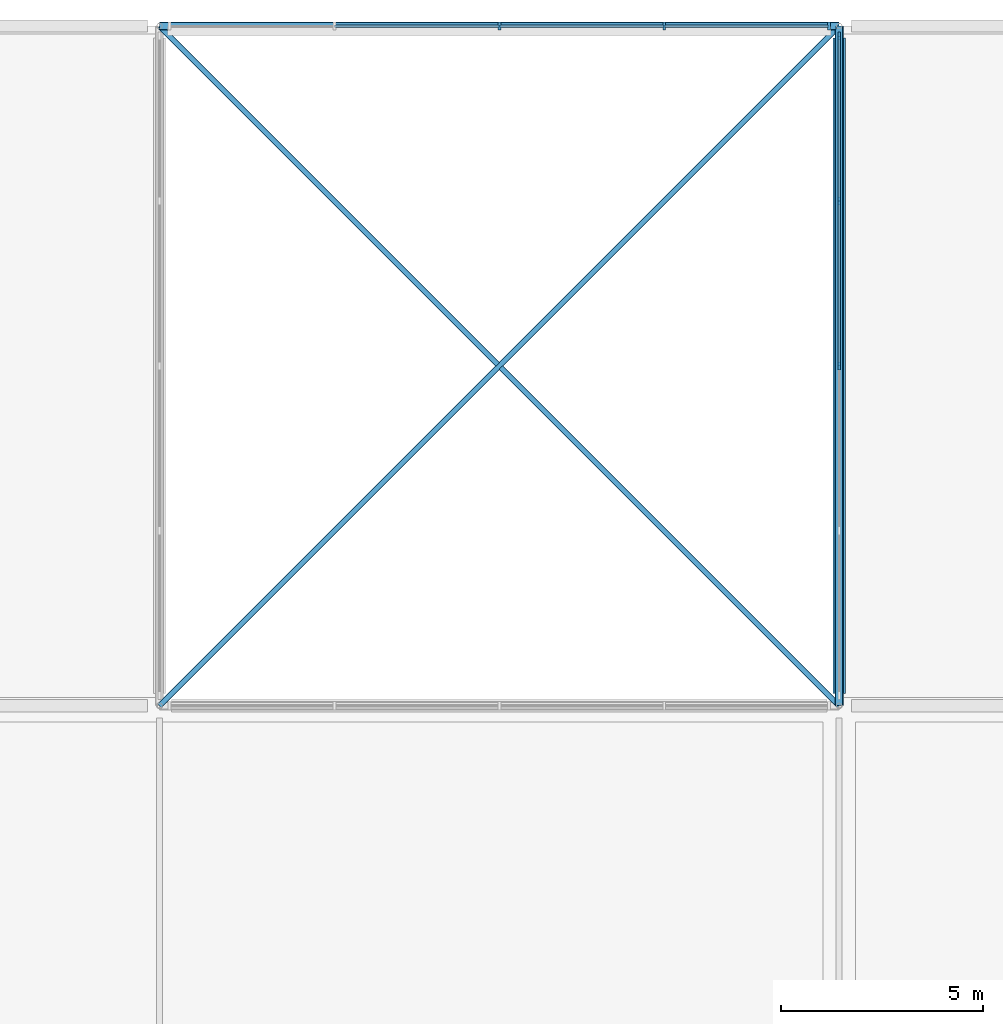
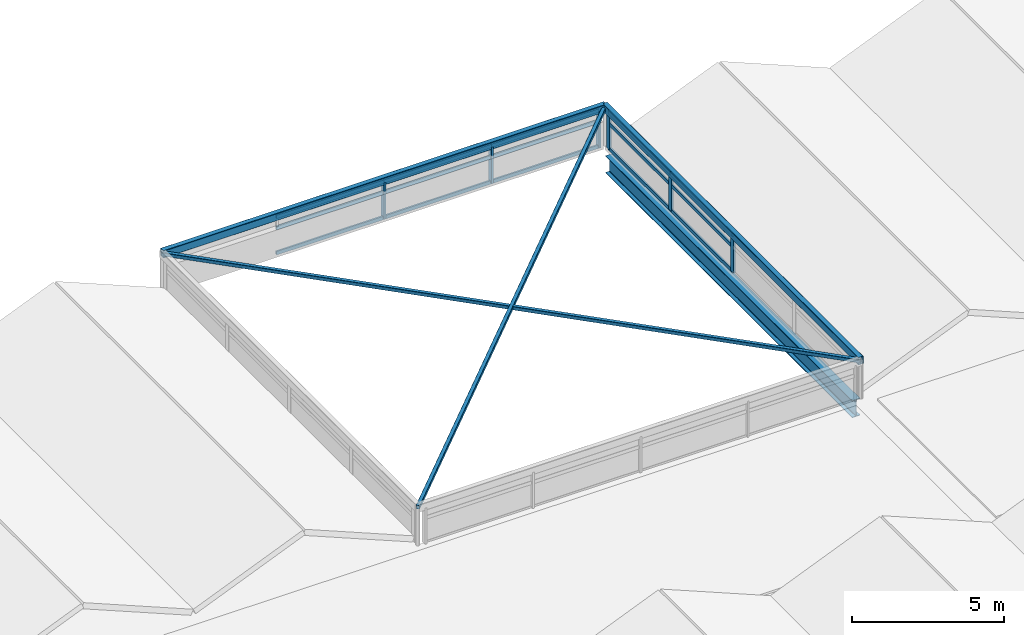
# One storey, part 7 of 14: 23 members, 3 beams, 2 elements without a shape of their own.
"""IFC4 building model written with IfcOpenShell, lengths in metres."""

from ifc_helpers import new_model, si_unit, direction, frame, origin, origin_2d, place, context, subcontext, project, spatial, rectangle, hollow_rectangle, i_section, extrude, material, layer, layer_set, material_profile, profile_set, type_object, element, aggregate, save


model = new_model("IFC4")

# Units and contexts
model_context = context("Model", 3, precision=1e-05, world=origin(), true_north=direction((0.0, 1.0)))
body_context = subcontext(model_context, "Body", "Model", "MODEL_VIEW")
ifc_project = project(units=[si_unit("LENGTHUNIT", "METRE"), si_unit("AREAUNIT", "SQUARE_METRE"), si_unit("VOLUMEUNIT", "CUBIC_METRE"), si_unit("PLANEANGLEUNIT", "RADIAN"), si_unit("MASSUNIT", "GRAM", prefix="KILO")], contexts=[model_context])

# Site, building, storey
site_placement = place(None, origin())
site = spatial("IfcSite", under=ifc_project, at=site_placement, CompositionType="ELEMENT")
building_placement = place(site_placement, origin())
building = spatial("IfcBuilding", under=site, at=building_placement, Name="Qawsi Khor Wholesale Market", CompositionType="ELEMENT")
storey_placement = place(building_placement, frame((0.0, 0.0, 20.699951171875)))
storey = spatial("IfcBuildingStorey", under=building, at=storey_placement, Name="RF", CompositionType="ELEMENT", Elevation=20.699951171875)

# Curtain wall, members
ifc_material_1 = material(Name="Aluminium Anodised Bronze", Category="aluminium")
ifc_layer = layer(ifc_material_1, 0.179931640625, Name="Aluminium Anodised Bronze")
ifc_layer_set = layer_set([ifc_layer], Name="Aluminium Anodised Bronze")
curtain_wall_type = type_object("IfcCurtainWallType", Name="Atrium Full-Height Curtain Wall CW-02", PredefinedType="NOTDEFINED", material=ifc_layer_set)
curtain_wall_1_placement = place(storey_placement, origin())
curtain_wall_1 = element("IfcCurtainWall", 1, at=curtain_wall_1_placement, inside=storey, type_object=curtain_wall_type, Name="Curtain wall CW-CW-02-RF-047", PredefinedType="NOTDEFINED")
ifc_material_profile_1 = material_profile(ifc_material_1, rectangle(XDim=0.070068359375, YDim=0.199951171875, at=origin_2d()), Name="ALU MULLION 70x200")
ifc_profile_set_1 = profile_set([ifc_material_profile_1], Name="Aluminium Anodised Bronze")
member_type_1 = type_object("IfcMemberType", Name="Curtain Wall Mullion CW-02 ALU MULLION 70x200", PredefinedType="MULLION", material=ifc_profile_set_1)
member_1_placement = place(storey_placement, frame((58.800048828125, 42.0, -0.02001953125), z_axis=(0.0, 0.0, 1.0), x_axis=(1.0, 0.0, 0.0)))
member_1 = element("IfcMember", 2, at=member_1_placement, type_object=member_type_1, Name="Mullion CW-CW-02-RF-047-M02", PredefinedType="MULLION", context=body_context, shape_type="SweptSolid", body=[
    extrude(rectangle(XDim=0.070068359375, YDim=0.199951171875, at=origin_2d()), origin(), (0.0, 0.0, 1.0), 1.469970703125),
])
member_2_placement = place(storey_placement, frame((62.875, 42.0, -0.02001953125), z_axis=(0.0, 0.0, 1.0), x_axis=(1.0, 0.0, 0.0)))
member_2 = element("IfcMember", 3, at=member_2_placement, type_object=member_type_1, Name="Mullion CW-CW-02-RF-047-M03", PredefinedType="MULLION", context=body_context, shape_type="SweptSolid", body=[
    extrude(rectangle(XDim=0.070068359375, YDim=0.199951171875, at=origin_2d()), origin(), (0.0, 0.0, 1.0), 1.469970703125),
])
member_3_placement = place(storey_placement, frame((66.949951171875, 42.0, -0.02001953125), z_axis=(0.0, 0.0, 1.0), x_axis=(1.0, 0.0, 0.0)))
member_3 = element("IfcMember", 4, at=member_3_placement, type_object=member_type_1, Name="Mullion CW-CW-02-RF-047-M04", PredefinedType="MULLION", context=body_context, shape_type="SweptSolid", body=[
    extrude(rectangle(XDim=0.070068359375, YDim=0.199951171875, at=origin_2d()), origin(), (0.0, 0.0, 1.0), 1.469970703125),
])

curtain_wall_2_placement = place(storey_placement, origin())
curtain_wall_2 = element("IfcCurtainWall", 5, at=curtain_wall_2_placement, inside=storey, type_object=curtain_wall_type, Name="Curtain wall CW-CW-02-RF-049", PredefinedType="NOTDEFINED")
member_4_placement = place(storey_placement, frame((67.199951171875, 33.60009765625, -0.02001953125), z_axis=(0.0, 0.0, 1.0), x_axis=(1.0, 0.0, 0.0)))
member_4 = element("IfcMember", 6, at=member_4_placement, type_object=member_type_1, Name="Mullion CW-CW-02-RF-049-M02", PredefinedType="MULLION", context=body_context, shape_type="SweptSolid", body=[
    extrude(rectangle(XDim=0.070068359375, YDim=0.199951171875, at=origin_2d()), origin(), (0.0, 0.0, 1.0), 1.469970703125),
])
member_5_placement = place(storey_placement, frame((67.199951171875, 37.675048828125, -0.02001953125), z_axis=(0.0, 0.0, 1.0), x_axis=(1.0, 0.0, 0.0)))
member_5 = element("IfcMember", 7, at=member_5_placement, type_object=member_type_1, Name="Mullion CW-CW-02-RF-049-M03", PredefinedType="MULLION", context=body_context, shape_type="SweptSolid", body=[
    extrude(rectangle(XDim=0.070068359375, YDim=0.199951171875, at=origin_2d()), origin(), (0.0, 0.0, 1.0), 1.469970703125),
])
member_6_placement = place(storey_placement, frame((67.199951171875, 41.75, -0.02001953125), z_axis=(0.0, 0.0, 1.0), x_axis=(1.0, 0.0, 0.0)))
member_6 = element("IfcMember", 8, at=member_6_placement, type_object=member_type_1, Name="Mullion CW-CW-02-RF-049-M04", PredefinedType="MULLION", context=body_context, shape_type="SweptSolid", body=[
    extrude(rectangle(XDim=0.070068359375, YDim=0.199951171875, at=origin_2d()), origin(), (0.0, 0.0, 1.0), 1.469970703125),
])

# Member
ifc_material_profile_2 = material_profile(ifc_material_1, rectangle(XDim=0.06494140625, YDim=0.139892578125, at=origin_2d()), Name="ALU TRANSOM 65x140")
ifc_profile_set_2 = profile_set([ifc_material_profile_2], Name="Aluminium Anodised Bronze")
member_type_2 = type_object("IfcMemberType", Name="Curtain Wall Transom CW-02 ALU TRANSOM 65x140", PredefinedType="USERDEFINED", material=ifc_profile_set_2)
member_7_placement = place(storey_placement, frame((54.72509765625, 42.0, 0.0), z_axis=(1.0, 0.0, 0.0), x_axis=(0.0, 1.0, 0.0)))
member_7 = element("IfcMember", 9, at=member_7_placement, type_object=member_type_2, Name="Transom CW-CW-02-RF-047-T0_01", ObjectType="TRANSOM", PredefinedType="USERDEFINED", context=body_context, shape_type="SweptSolid", body=[
    extrude(rectangle(XDim=0.06494140625, YDim=0.139892578125, at=origin_2d()), origin(), (0.0, 0.0, 1.0), 4.074951171875),
])

member_8_placement = place(storey_placement, frame((58.800048828125, 42.0, 0.0), z_axis=(1.0, 0.0, 0.0), x_axis=(0.0, 1.0, 0.0)))
member_8 = element("IfcMember", 10, at=member_8_placement, type_object=member_type_2, Name="Transom CW-CW-02-RF-047-T0_02", ObjectType="TRANSOM", PredefinedType="USERDEFINED", context=body_context, shape_type="SweptSolid", body=[
    extrude(rectangle(XDim=0.06494140625, YDim=0.139892578125, at=origin_2d()), origin(), (0.0, 0.0, 1.0), 4.074951171875),
])

member_9_placement = place(storey_placement, frame((62.875, 42.0, 0.0), z_axis=(1.0, 0.0, 0.0), x_axis=(0.0, 1.0, 0.0)))
member_9 = element("IfcMember", 11, at=member_9_placement, type_object=member_type_2, Name="Transom CW-CW-02-RF-047-T0_03", ObjectType="TRANSOM", PredefinedType="USERDEFINED", context=body_context, shape_type="SweptSolid", body=[
    extrude(rectangle(XDim=0.06494140625, YDim=0.139892578125, at=origin_2d()), origin(), (0.0, 0.0, 1.0), 4.074951171875),
])

member_10_placement = place(storey_placement, frame((54.72509765625, 42.0, 1.0), z_axis=(1.0, 0.0, 0.0), x_axis=(0.0, 1.0, 0.0)))
member_10 = element("IfcMember", 12, at=member_10_placement, type_object=member_type_2, Name="Transom CW-CW-02-RF-047-T1_01", ObjectType="TRANSOM", PredefinedType="USERDEFINED", context=body_context, shape_type="SweptSolid", body=[
    extrude(rectangle(XDim=0.06494140625, YDim=0.139892578125, at=origin_2d()), origin(), (0.0, 0.0, 1.0), 4.074951171875),
])

member_11_placement = place(storey_placement, frame((58.800048828125, 42.0, 1.0), z_axis=(1.0, 0.0, 0.0), x_axis=(0.0, 1.0, 0.0)))
member_11 = element("IfcMember", 13, at=member_11_placement, type_object=member_type_2, Name="Transom CW-CW-02-RF-047-T1_02", ObjectType="TRANSOM", PredefinedType="USERDEFINED", context=body_context, shape_type="SweptSolid", body=[
    extrude(rectangle(XDim=0.06494140625, YDim=0.139892578125, at=origin_2d()), origin(), (0.0, 0.0, 1.0), 4.074951171875),
])

member_12_placement = place(storey_placement, frame((62.875, 42.0, 1.0), z_axis=(1.0, 0.0, 0.0), x_axis=(0.0, 1.0, 0.0)))
member_12 = element("IfcMember", 14, at=member_12_placement, type_object=member_type_2, Name="Transom CW-CW-02-RF-047-T1_03", ObjectType="TRANSOM", PredefinedType="USERDEFINED", context=body_context, shape_type="SweptSolid", body=[
    extrude(rectangle(XDim=0.06494140625, YDim=0.139892578125, at=origin_2d()), origin(), (0.0, 0.0, 1.0), 4.074951171875),
])

member_13_placement = place(storey_placement, frame((54.72509765625, 42.0, 1.449951171875), z_axis=(1.0, 0.0, 0.0), x_axis=(0.0, 1.0, 0.0)))
member_13 = element("IfcMember", 15, at=member_13_placement, type_object=member_type_2, Name="Transom CW-CW-02-RF-047-T2_01", ObjectType="TRANSOM", PredefinedType="USERDEFINED", context=body_context, shape_type="SweptSolid", body=[
    extrude(rectangle(XDim=0.06494140625, YDim=0.139892578125, at=origin_2d()), origin(), (0.0, 0.0, 1.0), 4.074951171875),
])

member_14_placement = place(storey_placement, frame((58.800048828125, 42.0, 1.449951171875), z_axis=(1.0, 0.0, 0.0), x_axis=(0.0, 1.0, 0.0)))
member_14 = element("IfcMember", 16, at=member_14_placement, type_object=member_type_2, Name="Transom CW-CW-02-RF-047-T2_02", ObjectType="TRANSOM", PredefinedType="USERDEFINED", context=body_context, shape_type="SweptSolid", body=[
    extrude(rectangle(XDim=0.06494140625, YDim=0.139892578125, at=origin_2d()), origin(), (0.0, 0.0, 1.0), 4.074951171875),
])

member_15_placement = place(storey_placement, frame((62.875, 42.0, 1.449951171875), z_axis=(1.0, 0.0, 0.0), x_axis=(0.0, 1.0, 0.0)))
member_15 = element("IfcMember", 17, at=member_15_placement, type_object=member_type_2, Name="Transom CW-CW-02-RF-047-T2_03", ObjectType="TRANSOM", PredefinedType="USERDEFINED", context=body_context, shape_type="SweptSolid", body=[
    extrude(rectangle(XDim=0.06494140625, YDim=0.139892578125, at=origin_2d()), origin(), (0.0, 0.0, 1.0), 4.074951171875),
])

aggregate(curtain_wall_1, [member_1, member_2, member_3, member_7, member_8, member_9, member_10, member_11, member_12, member_13, member_14, member_15])

member_16_placement = place(storey_placement, frame((67.199951171875, 33.60009765625, 0.0), z_axis=(0.0, 1.0, 0.0), x_axis=(-1.0, 0.0, 0.0)))
member_16 = element("IfcMember", 18, at=member_16_placement, type_object=member_type_2, Name="Transom CW-CW-02-RF-049-T0_02", ObjectType="TRANSOM", PredefinedType="USERDEFINED", context=body_context, shape_type="SweptSolid", body=[
    extrude(rectangle(XDim=0.06494140625, YDim=0.139892578125, at=origin_2d()), origin(), (0.0, 0.0, 1.0), 4.074951171875),
])

member_17_placement = place(storey_placement, frame((67.199951171875, 37.675048828125, 0.0), z_axis=(0.0, 1.0, 0.0), x_axis=(-1.0, 0.0, 0.0)))
member_17 = element("IfcMember", 19, at=member_17_placement, type_object=member_type_2, Name="Transom CW-CW-02-RF-049-T0_03", ObjectType="TRANSOM", PredefinedType="USERDEFINED", context=body_context, shape_type="SweptSolid", body=[
    extrude(rectangle(XDim=0.06494140625, YDim=0.139892578125, at=origin_2d()), origin(), (0.0, 0.0, 1.0), 4.074951171875),
])

member_18_placement = place(storey_placement, frame((67.199951171875, 33.60009765625, 1.0), z_axis=(0.0, 1.0, 0.0), x_axis=(-1.0, 0.0, 0.0)))
member_18 = element("IfcMember", 20, at=member_18_placement, type_object=member_type_2, Name="Transom CW-CW-02-RF-049-T1_02", ObjectType="TRANSOM", PredefinedType="USERDEFINED", context=body_context, shape_type="SweptSolid", body=[
    extrude(rectangle(XDim=0.06494140625, YDim=0.139892578125, at=origin_2d()), origin(), (0.0, 0.0, 1.0), 4.074951171875),
])

member_19_placement = place(storey_placement, frame((67.199951171875, 37.675048828125, 1.0), z_axis=(0.0, 1.0, 0.0), x_axis=(-1.0, 0.0, 0.0)))
member_19 = element("IfcMember", 21, at=member_19_placement, type_object=member_type_2, Name="Transom CW-CW-02-RF-049-T1_03", ObjectType="TRANSOM", PredefinedType="USERDEFINED", context=body_context, shape_type="SweptSolid", body=[
    extrude(rectangle(XDim=0.06494140625, YDim=0.139892578125, at=origin_2d()), origin(), (0.0, 0.0, 1.0), 4.074951171875),
])

member_20_placement = place(storey_placement, frame((67.199951171875, 33.60009765625, 1.449951171875), z_axis=(0.0, 1.0, 0.0), x_axis=(-1.0, 0.0, 0.0)))
member_20 = element("IfcMember", 22, at=member_20_placement, type_object=member_type_2, Name="Transom CW-CW-02-RF-049-T2_02", ObjectType="TRANSOM", PredefinedType="USERDEFINED", context=body_context, shape_type="SweptSolid", body=[
    extrude(rectangle(XDim=0.06494140625, YDim=0.139892578125, at=origin_2d()), origin(), (0.0, 0.0, 1.0), 4.074951171875),
])

member_21_placement = place(storey_placement, frame((67.199951171875, 37.675048828125, 1.449951171875), z_axis=(0.0, 1.0, 0.0), x_axis=(-1.0, 0.0, 0.0)))
member_21 = element("IfcMember", 23, at=member_21_placement, type_object=member_type_2, Name="Transom CW-CW-02-RF-049-T2_03", ObjectType="TRANSOM", PredefinedType="USERDEFINED", context=body_context, shape_type="SweptSolid", body=[
    extrude(rectangle(XDim=0.06494140625, YDim=0.139892578125, at=origin_2d()), origin(), (0.0, 0.0, 1.0), 4.074951171875),
])

aggregate(curtain_wall_2, [member_4, member_5, member_6, member_16, member_17, member_18, member_19, member_20, member_21])

# Beams
ifc_material_2 = material(Name="Steel S355", Category="steel")
ifc_material_profile_3 = material_profile(ifc_material_2, hollow_rectangle(XDim=0.199951171875, YDim=0.300048828125, WallThickness=0.012451171875, InnerFilletRadius=0.012451171875, OuterFilletRadius=0.02490234375, at=origin_2d()), Name="RHS 300x200x12.5")
ifc_profile_set_3 = profile_set([ifc_material_profile_3], Name="Steel S355")
beam_type_1 = type_object("IfcBeamType", Name="Lantern Rim Beam RHS 300x200x12.5", PredefinedType="BEAM", material=ifc_profile_set_3)
for number, where, z_axis, x_axis, name in (
    (24, (67.199951171875, 25.199951171875, 1.5), (0.0, 1.0, 0.0), (-1.0, 0.0, 0.0), "Atrium lantern rim beam WAT-2"),
    (25, (67.199951171875, 42.0, 1.5), (-1.0, 0.0, 0.0), (0.0, -1.0, 0.0), "Atrium lantern rim beam WAT-3"),
):
    element("IfcBeam", number, at=place(storey_placement, frame(where, z_axis=z_axis, x_axis=x_axis)), inside=storey, type_object=beam_type_1, Name=name, PredefinedType="BEAM", context=body_context, shape_type="SweptSolid", body=[
        extrude(hollow_rectangle(XDim=0.199951171875, YDim=0.300048828125, WallThickness=0.012451171875, InnerFilletRadius=0.012451171875, OuterFilletRadius=0.02490234375, at=origin_2d()), origin(), (0.0, 0.0, 1.0), 16.800048828125),
    ])

# Members
ifc_material_profile_4 = material_profile(ifc_material_2, hollow_rectangle(XDim=0.139892578125, YDim=0.139892578125, WallThickness=0.008056640625, InnerFilletRadius=0.008056640625, OuterFilletRadius=0.01611328125, at=origin_2d()), Name="SHS 140x140x8.0")
ifc_profile_set_4 = profile_set([ifc_material_profile_4], Name="Steel S355")
member_type_3 = type_object("IfcMemberType", Name="Lantern Sub-Brace SHS 140x140x8.0", PredefinedType="BRACE", material=ifc_profile_set_4)
for number, where, z_axis, x_axis, name in (
    (26, (50.39990234375, 25.199951171875, 1.5), (0.707106781187, 0.707106781187, 0.0), (-0.707106781187, 0.707106781187, 0.0), "Atrium lantern roof brace WAT-1"),
    (27, (67.199951171875, 25.199951171875, 1.5), (-0.707106781187, 0.707106781187, 0.0), (-0.707106781187, -0.707106781187, 0.0), "Atrium lantern roof brace WAT-2"),
):
    element("IfcMember", number, at=place(storey_placement, frame(where, z_axis=z_axis, x_axis=x_axis)), inside=storey, type_object=member_type_3, Name=name, PredefinedType="BRACE", context=body_context, shape_type="SweptSolid", body=[
        extrude(hollow_rectangle(XDim=0.139892578125, YDim=0.139892578125, WallThickness=0.008056640625, InnerFilletRadius=0.008056640625, OuterFilletRadius=0.01611328125, at=origin_2d()), origin(), (0.0, 0.0, 1.0), 23.7587890625),
    ])

# Beam
ifc_material_profile_5 = material_profile(ifc_material_2, i_section(OverallWidth=0.300048828125, OverallDepth=0.68994140625, WebThickness=0.014404296875, FlangeThickness=0.027099609375, FilletRadius=0.027099609375, at=origin_2d()), Name="HEA 700")
ifc_profile_set_5 = profile_set([ifc_material_profile_5], Name="Steel S355")
beam_type_2 = type_object("IfcBeamType", Name="Primary Girder HEA 700", PredefinedType="BEAM", material=ifc_profile_set_5)
beam_placement = place(storey_placement, frame((67.199951171875, 25.5, -0.5849609375), z_axis=(0.0, 1.0, 0.0), x_axis=(-1.0, 0.0, 0.0)))
element("IfcBeam", 28, at=beam_placement, inside=storey, type_object=beam_type_2, Name="BM-YL-RF-08_+03", PredefinedType="BEAM", context=body_context, shape_type="SweptSolid", body=[
    extrude(i_section(OverallWidth=0.300048828125, OverallDepth=0.68994140625, WebThickness=0.014404296875, FlangeThickness=0.027099609375, FilletRadius=0.027099609375, at=origin_2d()), origin(), (0.0, 0.0, 1.0), 16.199951171875),
])

save(model, "model.ifc")
